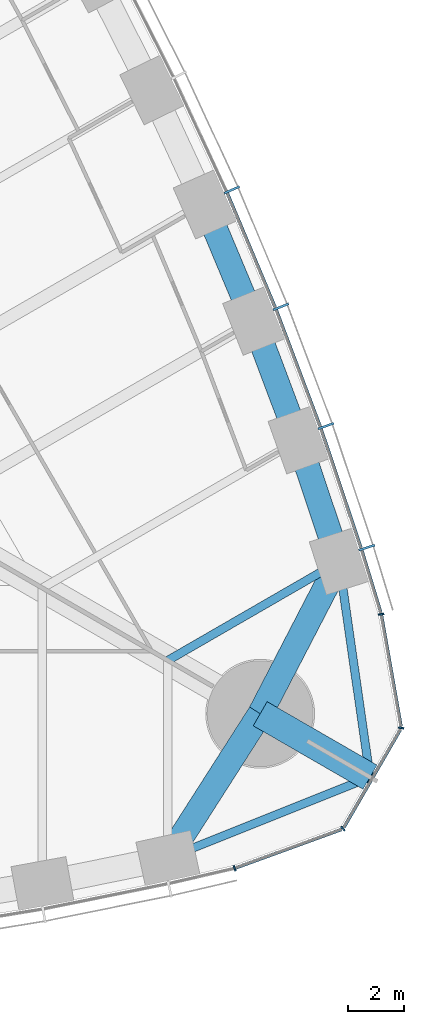
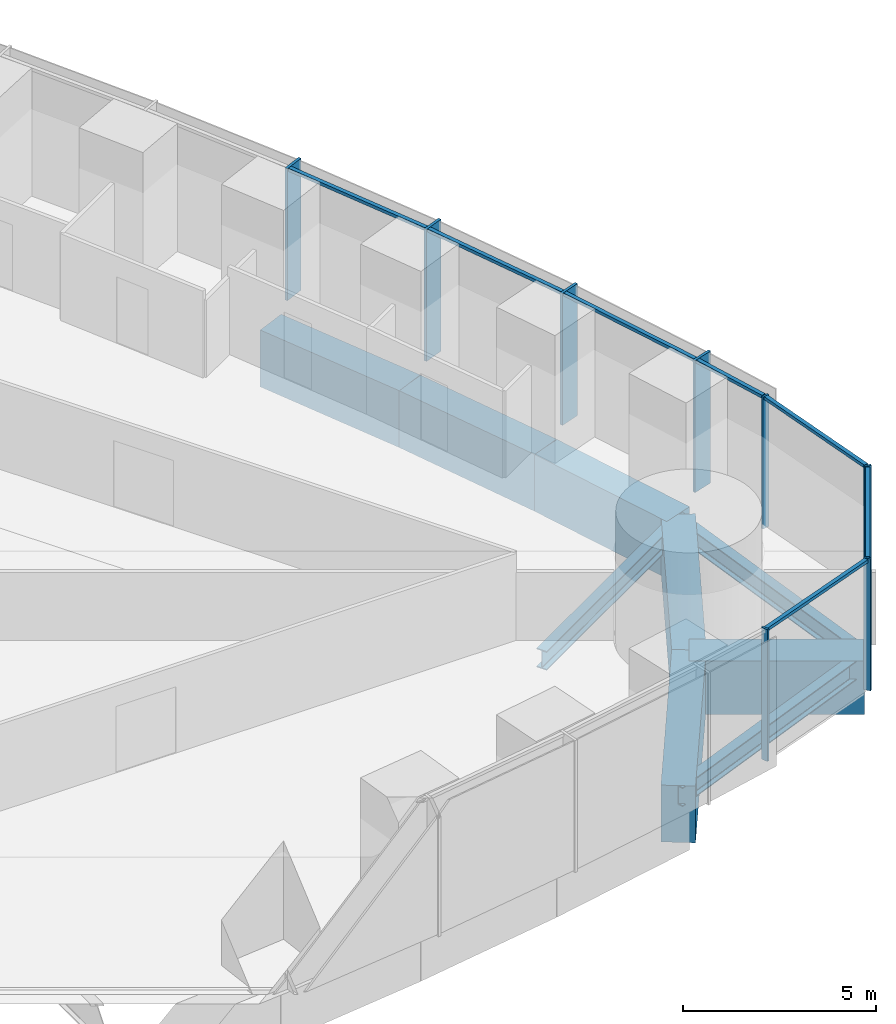
# One storey, part 7 of 18: 15 members, 9 beams, 2 elements without a shape of their own.
"""IFC4 building model written with IfcOpenShell, lengths in metres."""

from ifc_helpers import new_model, si_unit, direction, frame, origin, origin_2d, place, context, subcontext, project, spatial, rectangle, i_section, extrude, material, material_profile, profile_set, type_object, element, aggregate, save


model = new_model("IFC4")

# Units and contexts
model_context = context("Model", 3, precision=1e-05, world=origin(), true_north=direction((0.0, 1.0)))
body_context = subcontext(model_context, "Body", "Model", "MODEL_VIEW")
ifc_project = project(units=[si_unit("LENGTHUNIT", "METRE"), si_unit("AREAUNIT", "SQUARE_METRE"), si_unit("VOLUMEUNIT", "CUBIC_METRE"), si_unit("PLANEANGLEUNIT", "RADIAN"), si_unit("MASSUNIT", "GRAM", prefix="KILO")], contexts=[model_context])

# Site, building, storey
site_placement = place(None, origin())
site = spatial("IfcSite", under=ifc_project, at=site_placement, CompositionType="ELEMENT")
building_placement = place(site_placement, origin())
building = spatial("IfcBuilding", under=site, at=building_placement, Name="Trefoil Bronze Tower", CompositionType="ELEMENT")
storey_placement = place(building_placement, frame((0.0, 0.0, 161.89990234375)))
storey = spatial("IfcBuildingStorey", under=building, at=storey_placement, Name="L37", CompositionType="ELEMENT", Elevation=161.89990234375)

# Curtain wall, members
ifc_material_1 = material(Name="Tinted solar-control glass", Category="glass")
curtain_wall_type_1 = type_object("IfcCurtainWallType", Name="Bronze office curtain wall", PredefinedType="USERDEFINED", material=ifc_material_1)
curtain_wall_1_placement = place(storey_placement, origin())
curtain_wall_1 = element("IfcCurtainWall", 1, at=curtain_wall_1_placement, inside=storey, type_object=curtain_wall_type_1, Name="CW-A L37 F2", ObjectType="CURTAIN WALL", PredefinedType="USERDEFINED")
ifc_material_2 = material(Name="Bronze-finish aluminium", Category="aluminium")
ifc_material_profile_1 = material_profile(ifc_material_2, rectangle(XDim=0.60009765625, YDim=0.080078125, at=origin_2d()), Name="CW-A mullion")
ifc_profile_set_1 = profile_set([ifc_material_profile_1], Name="Bronze-finish aluminium")
member_type_1 = type_object("IfcMemberType", Name="Bronze office curtain wall mullion", PredefinedType="MULLION", material=ifc_profile_set_1)
member_1_placement = place(storey_placement, frame((34.1337890625, -11.543212890625, 0.0), z_axis=(0.0, 0.0, 1.0), x_axis=(-0.952331125357, -0.30506626768, 0.0)))
member_1 = element("IfcMember", 2, at=member_1_placement, type_object=member_type_1, Name="CW-A L37 F2 mullion 2", PredefinedType="MULLION", context=body_context, shape_type="SweptSolid", body=[
    extrude(rectangle(XDim=0.60009765625, YDim=0.080078125, at=origin_2d()), origin(), (0.0, 0.0, 1.0), 4.18017578125),
])
member_2_placement = place(storey_placement, frame((32.668701171875, -7.181884765625, 0.0), z_axis=(0.0, 0.0, 1.0), x_axis=(-0.94196250502, -0.335718094742, 0.0)))
member_2 = element("IfcMember", 3, at=member_2_placement, type_object=member_type_1, Name="CW-A L37 F2 mullion 3", PredefinedType="MULLION", context=body_context, shape_type="SweptSolid", body=[
    extrude(rectangle(XDim=0.60009765625, YDim=0.080078125, at=origin_2d()), origin(), (0.0, 0.0, 1.0), 4.18017578125),
])
member_3_placement = place(storey_placement, frame((31.055419921875, -2.90478515625, 0.0), z_axis=(0.0, 0.0, 1.0), x_axis=(-0.929071242848, -0.369900832269, 0.0)))
member_3 = element("IfcMember", 4, at=member_3_placement, type_object=member_type_1, Name="CW-A L37 F2 mullion 4", PredefinedType="MULLION", context=body_context, shape_type="SweptSolid", body=[
    extrude(rectangle(XDim=0.60009765625, YDim=0.080078125, at=origin_2d()), origin(), (0.0, 0.0, 1.0), 4.18017578125),
])
member_4_placement = place(storey_placement, frame((29.296875, 1.28857421875, 0.0), z_axis=(0.0, 0.0, 1.0), x_axis=(-0.915018269914, -0.40341240155, 0.0)))
member_4 = element("IfcMember", 5, at=member_4_placement, type_object=member_type_1, Name="CW-A L37 F2 mullion 5", PredefinedType="MULLION", context=body_context, shape_type="SweptSolid", body=[
    extrude(rectangle(XDim=0.60009765625, YDim=0.080078125, at=origin_2d()), origin(), (0.0, 0.0, 1.0), 4.18017578125),
])
ifc_material_3 = material(Name="Bronze-finish aluminium", Category="aluminium")
ifc_material_profile_2 = material_profile(ifc_material_3, rectangle(XDim=0.1201171875, YDim=0.10009765625, at=origin_2d()), Name="CW-A transom")
ifc_profile_set_2 = profile_set([ifc_material_profile_2], Name="Bronze-finish aluminium")
member_type_2 = type_object("IfcMemberType", Name="Bronze office curtain wall transom", PredefinedType="USERDEFINED", material=ifc_profile_set_2)
member_5_placement = place(storey_placement, frame((34.637939453125, -13.88232421875, 4.130126953125), z_axis=(-0.291680468798, 0.956515814883, 0.0), x_axis=(-0.956515814883, -0.291680468798, 0.0)))
member_5 = element("IfcMember", 6, at=member_5_placement, type_object=member_type_2, Name="CW-A L37 F2 transom 1", ObjectType="TRANSOM", PredefinedType="USERDEFINED", context=body_context, shape_type="SweptSolid", body=[
    extrude(rectangle(XDim=0.1201171875, YDim=0.10009765625, at=origin_2d()), origin(), (0.0, 0.0, 1.0), 2.34033203125),
])
member_6_placement = place(storey_placement, frame((33.929931640625, -11.56494140625, 4.130126953125), z_axis=(-0.318386323729, 0.947961048178, 0.0), x_axis=(-0.947961048178, -0.318386323729, 0.0)))
member_6 = element("IfcMember", 7, at=member_6_placement, type_object=member_type_2, Name="CW-A L37 F2 transom 2", ObjectType="TRANSOM", PredefinedType="USERDEFINED", context=body_context, shape_type="SweptSolid", body=[
    extrude(rectangle(XDim=0.1201171875, YDim=0.10009765625, at=origin_2d()), origin(), (0.0, 0.0, 1.0), 4.51123046875),
])
member_7_placement = place(storey_placement, frame((32.465576171875, -7.2099609375, 4.130126953125), z_axis=(-0.352932154759, 0.935648916067, 0.0), x_axis=(-0.935648916067, -0.352932154759, 0.0)))
member_7 = element("IfcMember", 8, at=member_7_placement, type_object=member_type_2, Name="CW-A L37 F2 transom 3", ObjectType="TRANSOM", PredefinedType="USERDEFINED", context=body_context, shape_type="SweptSolid", body=[
    extrude(rectangle(XDim=0.1201171875, YDim=0.10009765625, at=origin_2d()), origin(), (0.0, 0.0, 1.0), 4.48046875),
])
member_8_placement = place(storey_placement, frame((30.853515625, -2.940185546875, 4.130126953125), z_axis=(-0.386773266184, 0.922174842731, 0.0), x_axis=(-0.922174842731, -0.386773266184, 0.0)))
member_8 = element("IfcMember", 9, at=member_8_placement, type_object=member_type_2, Name="CW-A L37 F2 transom 4", ObjectType="TRANSOM", PredefinedType="USERDEFINED", context=body_context, shape_type="SweptSolid", body=[
    extrude(rectangle(XDim=0.1201171875, YDim=0.10009765625, at=origin_2d()), origin(), (0.0, 0.0, 1.0), 4.45654296875),
])
aggregate(curtain_wall_1, [member_1, member_2, member_3, member_4, member_5, member_6, member_7, member_8])

ifc_material_4 = material(Name="Tinted solar-control glass", Category="glass")
curtain_wall_type_2 = type_object("IfcCurtainWallType", Name="Bronze rounded corner curtain wall", PredefinedType="USERDEFINED", material=ifc_material_4)
curtain_wall_2_placement = place(storey_placement, origin())
curtain_wall_2 = element("IfcCurtainWall", 10, at=curtain_wall_2_placement, inside=storey, type_object=curtain_wall_type_2, Name="CW-B L37 K1", ObjectType="CURTAIN WALL", PredefinedType="USERDEFINED")
ifc_material_5 = material(Name="Bronze-finish aluminium", Category="aluminium")
ifc_material_profile_3 = material_profile(ifc_material_5, rectangle(XDim=0.199951171875, YDim=0.06005859375, at=origin_2d()), Name="CW-B mullion")
ifc_profile_set_3 = profile_set([ifc_material_profile_3], Name="Bronze-finish aluminium")
member_type_3 = type_object("IfcMemberType", Name="Bronze rounded corner curtain wall mullion", PredefinedType="MULLION", material=ifc_profile_set_3)
member_9_placement = place(storey_placement, frame((29.391845703125, -23.043701171875, 0.0), z_axis=(0.0, 0.0, 1.0), x_axis=(-0.342020143326, 0.939692620786, 0.0)))
member_9 = element("IfcMember", 11, at=member_9_placement, type_object=member_type_3, Name="CW-B L37 K1 mullion 1", PredefinedType="MULLION", context=body_context, shape_type="SweptSolid", body=[
    extrude(rectangle(XDim=0.199951171875, YDim=0.06005859375, at=origin_2d()), origin(), (0.0, 0.0, 1.0), 4.18017578125),
])
member_10_placement = place(storey_placement, frame((33.27880859375, -21.62255859375, 0.0), z_axis=(0.0, 0.0, 1.0), x_axis=(-0.642787609687, 0.766044443119, 0.0)))
member_10 = element("IfcMember", 12, at=member_10_placement, type_object=member_type_3, Name="CW-B L37 K1 mullion 2", PredefinedType="MULLION", context=body_context, shape_type="SweptSolid", body=[
    extrude(rectangle(XDim=0.199951171875, YDim=0.06005859375, at=origin_2d()), origin(), (0.0, 0.0, 1.0), 4.18017578125),
])
member_11_placement = place(storey_placement, frame((35.364990234375, -18.009033203125, 0.0), z_axis=(0.0, 0.0, 1.0), x_axis=(-0.984807753012, 0.173648177667, 0.0)))
member_11 = element("IfcMember", 13, at=member_11_placement, type_object=member_type_3, Name="CW-B L37 K1 mullion 3", PredefinedType="MULLION", context=body_context, shape_type="SweptSolid", body=[
    extrude(rectangle(XDim=0.199951171875, YDim=0.06005859375, at=origin_2d()), origin(), (0.0, 0.0, 1.0), 4.18017578125),
])
member_12_placement = place(storey_placement, frame((34.65234375, -13.932373046875, 0.0), z_axis=(0.0, 0.0, 1.0), x_axis=(-0.984807753012, -0.173648177667, 0.0)))
member_12 = element("IfcMember", 14, at=member_12_placement, type_object=member_type_3, Name="CW-B L37 K1 mullion 4", PredefinedType="MULLION", context=body_context, shape_type="SweptSolid", body=[
    extrude(rectangle(XDim=0.199951171875, YDim=0.06005859375, at=origin_2d()), origin(), (0.0, 0.0, 1.0), 4.18017578125),
])
ifc_material_6 = material(Name="Bronze-finish aluminium", Category="aluminium")
ifc_material_profile_4 = material_profile(ifc_material_6, rectangle(XDim=0.1201171875, YDim=0.10009765625, at=origin_2d()), Name="CW-B transom")
ifc_profile_set_4 = profile_set([ifc_material_profile_4], Name="Bronze-finish aluminium")
member_type_4 = type_object("IfcMemberType", Name="Bronze rounded corner curtain wall transom", PredefinedType="USERDEFINED", material=ifc_profile_set_4)
member_13_placement = place(storey_placement, frame((29.420166015625, -23.033447265625, 4.130126953125), z_axis=(0.939684096629, 0.342043562347, 0.0), x_axis=(-0.342043562347, 0.939684096629, 0.0)))
member_13 = element("IfcMember", 15, at=member_13_placement, type_object=member_type_4, Name="CW-B L37 K1 transom 1", ObjectType="TRANSOM", PredefinedType="USERDEFINED", context=body_context, shape_type="SweptSolid", body=[
    extrude(rectangle(XDim=0.1201171875, YDim=0.10009765625, at=origin_2d()), origin(), (0.0, 0.0, 1.0), 4.044189453125),
])
member_14_placement = place(storey_placement, frame((33.31591796875, -21.570068359375, 4.130126953125), z_axis=(0.500015078168, 0.866016698225, 0.0), x_axis=(-0.866016698225, 0.500015078168, 0.0)))
member_14 = element("IfcMember", 16, at=member_14_placement, type_object=member_type_4, Name="CW-B L37 K1 transom 2", ObjectType="TRANSOM", PredefinedType="USERDEFINED", context=body_context, shape_type="SweptSolid", body=[
    extrude(rectangle(XDim=0.1201171875, YDim=0.10009765625, at=origin_2d()), origin(), (0.0, 0.0, 1.0), 4.04443359375),
])
member_15_placement = place(storey_placement, frame((35.35986328125, -17.944580078125, 4.130126953125), z_axis=(-0.173682016639, 0.984801785689, 0.0), x_axis=(-0.984801785689, -0.173682016639, 0.0)))
member_15 = element("IfcMember", 17, at=member_15_placement, type_object=member_type_4, Name="CW-B L37 K1 transom 3", ObjectType="TRANSOM", PredefinedType="USERDEFINED", context=body_context, shape_type="SweptSolid", body=[
    extrude(rectangle(XDim=0.1201171875, YDim=0.10009765625, at=origin_2d()), origin(), (0.0, 0.0, 1.0), 4.044189453125),
])
aggregate(curtain_wall_2, [member_9, member_10, member_11, member_12, member_13, member_14, member_15])

# Beams
ifc_material_7 = material(Name="Concrete B80", Category="concrete")
ifc_material_profile_5 = material_profile(ifc_material_7, rectangle(XDim=1.0, YDim=1.699951171875, at=origin_2d()), Name="RC 1000x1700")
ifc_profile_set_5 = profile_set([ifc_material_profile_5], Name="Concrete B80")
beam_type_1 = type_object("IfcBeamType", Name="Corner cantilever RC 1000x1700", PredefinedType="BEAM", material=ifc_profile_set_5)
beam_1_placement = place(storey_placement, frame((30.310791015625, -17.5, -1.0498046875), z_axis=(0.866031878637, -0.499988785058, 0.0), x_axis=(0.499988785058, 0.866031878637, 0.0)))
element("IfcBeam", 18, at=beam_1_placement, inside=storey, type_object=beam_type_1, Name="Corner cantilever K1 L37", PredefinedType="BEAM", context=body_context, shape_type="SweptSolid", body=[
    extrude(rectangle(XDim=1.0, YDim=1.699951171875, at=origin_2d()), origin(), (0.0, 0.0, 1.0), 4.54931640625),
])
ifc_material_8 = material(Name="Steel C355", Category="steel")
ifc_material_profile_6 = material_profile(ifc_material_8, i_section(OverallWidth=0.300048828125, OverallDepth=0.60009765625, WebThickness=0.015380859375, FlangeThickness=0.030029296875, FilletRadius=0.027099609375, at=origin_2d()), Name="HEB 600")
ifc_profile_set_6 = profile_set([ifc_material_profile_6], Name="Steel C355")
beam_type_2 = type_object("IfcBeamType", Name="Corner edge beam HEB 600", PredefinedType="BEAM", material=ifc_profile_set_6)
for number, where, z_axis, x_axis, name in (
    (19, (27.0, -22.67724609375, -0.5), (0.928375332495, 0.371643972122, 0.0), (-0.371643972122, 0.928375332495, 0.0), "Corner edge beam F1A L37"),
    (20, (33.13916015625, -12.044189453125, -0.5), (0.142327214588, -0.989819662357, 0.0), (0.989819662357, 0.142327214588, 0.0), "Corner edge beam F2B L37"),
):
    element("IfcBeam", number, at=place(storey_placement, frame(where, z_axis=z_axis, x_axis=x_axis)), inside=storey, type_object=beam_type_2, Name=name, PredefinedType="BEAM", context=body_context, shape_type="SweptSolid", body=[
        extrude(i_section(OverallWidth=0.300048828125, OverallDepth=0.60009765625, WebThickness=0.015380859375, FlangeThickness=0.030029296875, FilletRadius=0.027099609375, at=origin_2d()), origin(), (0.0, 0.0, 1.0), 7.81005859375),
    ])
ifc_material_9 = material(Name="Concrete B80", Category="concrete")
ifc_material_profile_7 = material_profile(ifc_material_9, rectangle(XDim=0.89990234375, YDim=1.800048828125, at=origin_2d()), Name="RC 900x1800")
ifc_profile_set_7 = profile_set([ifc_material_profile_7], Name="Concrete B80")
beam_type_3 = type_object("IfcBeamType", Name="End spandrel beam RC 900x1800", PredefinedType="SPANDREL", material=ifc_profile_set_7)
for number, where, z_axis, x_axis, name in (
    (21, (27.0, -22.67724609375, -1.099853515625), (0.53874814953, 0.84246687257, 0.0), (-0.84246687257, 0.53874814953, 0.0), "Spandrel F1.14 L37"),
    (22, (30.310791015625, -17.5, -1.099853515625), (0.460244107083, 0.887792409235, 0.0), (-0.887792409235, 0.460244107083, 0.0), "Spandrel F2.1 L37"),
):
    element("IfcBeam", number, at=place(storey_placement, frame(where, z_axis=z_axis, x_axis=x_axis)), inside=storey, type_object=beam_type_3, Name=name, PredefinedType="SPANDREL", context=body_context, shape_type="SweptSolid", body=[
        extrude(rectangle(XDim=0.89990234375, YDim=1.800048828125, at=origin_2d()), origin(), (0.0, 0.0, 1.0), 6.145263671875),
    ])
ifc_material_10 = material(Name="Steel C355", Category="steel")
ifc_material_profile_8 = material_profile(ifc_material_10, i_section(OverallWidth=0.300048828125, OverallDepth=0.60009765625, WebThickness=0.015380859375, FlangeThickness=0.030029296875, FilletRadius=0.027099609375, at=origin_2d()), Name="HEB 600")
ifc_profile_set_8 = profile_set([ifc_material_profile_8], Name="Steel C355")
beam_type_4 = type_object("IfcBeamType", Name="Floor beam HEB 600", PredefinedType="BEAM", material=ifc_profile_set_8)
beam_2_placement = place(storey_placement, frame((33.13916015625, -12.044189453125, -0.5), z_axis=(-0.866041060244, -0.499972881236, 0.0), x_axis=(0.499972881236, -0.866041060244, 0.0)))
element("IfcBeam", 23, at=beam_2_placement, inside=storey, type_object=beam_type_4, Name="Floor beam F2/-6 L37", PredefinedType="BEAM", context=body_context, shape_type="SweptSolid", body=[
    extrude(i_section(OverallWidth=0.300048828125, OverallDepth=0.60009765625, WebThickness=0.015380859375, FlangeThickness=0.030029296875, FilletRadius=0.027099609375, at=origin_2d()), origin(), (0.0, 0.0, 1.0), 7.0888671875),
])
ifc_material_11 = material(Name="Concrete B80", Category="concrete")
ifc_material_profile_9 = material_profile(ifc_material_11, rectangle(XDim=0.89990234375, YDim=1.800048828125, at=origin_2d()), Name="RC 900x1800")
ifc_profile_set_9 = profile_set([ifc_material_profile_9], Name="Concrete B80")
beam_type_5 = type_object("IfcBeamType", Name="Spandrel beam RC 900x1800", PredefinedType="SPANDREL", material=ifc_profile_set_9)
beam_3_placement = place(storey_placement, frame((33.13916015625, -12.044189453125, -1.099853515625), z_axis=(-0.31732802068, 0.948315837309, 0.0), x_axis=(-0.948315837309, -0.31732802068, 0.0)))
element("IfcBeam", 24, at=beam_3_placement, inside=storey, type_object=beam_type_5, Name="Spandrel F2.2 L37", PredefinedType="SPANDREL", context=body_context, shape_type="SweptSolid", body=[
    extrude(rectangle(XDim=0.89990234375, YDim=1.800048828125, at=origin_2d()), origin(), (0.0, 0.0, 1.0), 4.59228515625),
])
beam_4_placement = place(storey_placement, frame((31.681884765625, -7.689208984375, -1.099853515625), z_axis=(-0.351938675523, 0.936023059904, 0.0), x_axis=(-0.936023059904, -0.351938675523, 0.0)))
element("IfcBeam", 25, at=beam_4_placement, inside=storey, type_object=beam_type_5, Name="Spandrel F2.3 L37", PredefinedType="SPANDREL", context=body_context, shape_type="SweptSolid", body=[
    extrude(rectangle(XDim=0.89990234375, YDim=1.800048828125, at=origin_2d()), origin(), (0.0, 0.0, 1.0), 4.56103515625),
])
beam_5_placement = place(storey_placement, frame((30.07666015625, -3.419921875, -1.099853515625), z_axis=(-0.386013490858, 0.922493135408, 0.0), x_axis=(-0.922493135408, -0.386013490858, 0.0)))
element("IfcBeam", 26, at=beam_5_placement, inside=storey, type_object=beam_type_5, Name="Spandrel F2.4 L37", PredefinedType="SPANDREL", context=body_context, shape_type="SweptSolid", body=[
    extrude(rectangle(XDim=0.89990234375, YDim=1.800048828125, at=origin_2d()), origin(), (0.0, 0.0, 1.0), 4.53662109375),
])

save(model, "model.ifc")
